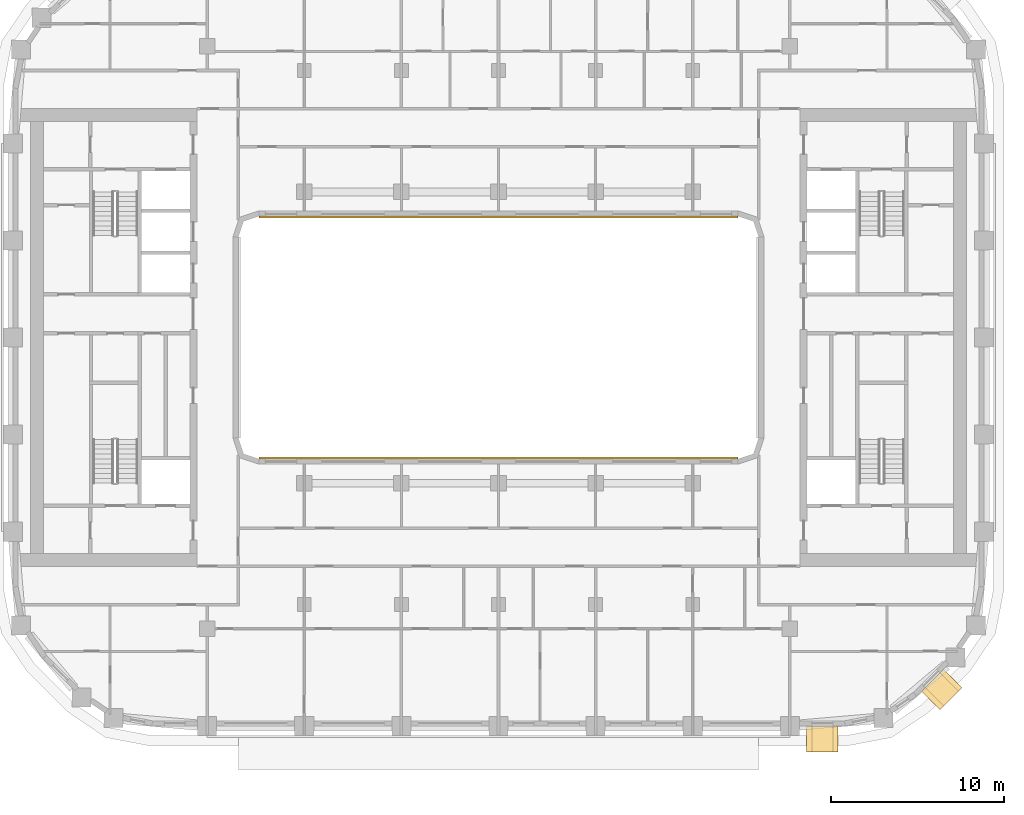
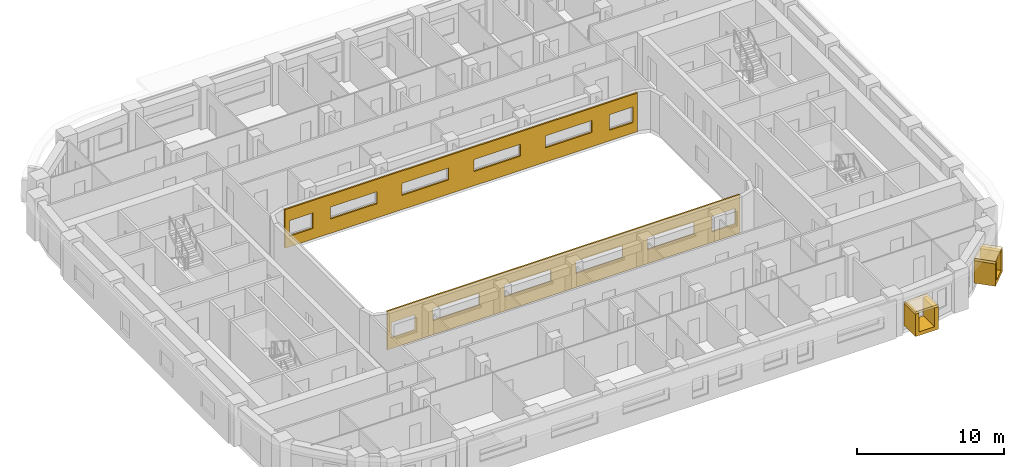
# One storey, part 16 of 22: 6 coverings.
"""IFC4 building model written with IfcOpenShell, lengths in metres."""

from ifc_helpers import new_model, si_unit, direction, frame, origin, origin_2d, place, context, subcontext, project, spatial, polyline, rectangle, outline, extrude, material, layer, layer_set, type_object, element, save


model = new_model("IFC4")

# Units and contexts
model_context = context("Model", 3, precision=1e-05, world=origin(), true_north=direction((0.0, 1.0)))
body_context = subcontext(model_context, "Body", "Model", "MODEL_VIEW")
ifc_project = project(units=[si_unit("LENGTHUNIT", "METRE"), si_unit("AREAUNIT", "SQUARE_METRE"), si_unit("VOLUMEUNIT", "CUBIC_METRE"), si_unit("PLANEANGLEUNIT", "RADIAN"), si_unit("MASSUNIT", "GRAM", prefix="KILO")], contexts=[model_context])

# Site, building, storey
site_placement = place(None, origin())
site = spatial("IfcSite", under=ifc_project, at=site_placement, CompositionType="ELEMENT")
building_placement = place(site_placement, origin())
building = spatial("IfcBuilding", under=site, at=building_placement, Name="Kiln Ring Residences", CompositionType="ELEMENT")
storey_placement = place(building_placement, frame((0.0, 0.0, 139.60009765625)))
storey = spatial("IfcBuildingStorey", under=building, at=storey_placement, Name="L35", CompositionType="ELEMENT", Elevation=139.60009765625)

# Coverings
ifc_material_1 = material(Name="Brick masonry, dark clay brick", Category="masonry")
ifc_layer_1 = layer(ifc_material_1, 0.300048828125)
ifc_layer_set_1 = layer_set([ifc_layer_1], Name="FRAME CHEEKS AND SILL 1500")
covering_type_1 = type_object("IfcCoveringType", Name="FRAME CHEEKS AND SILL 1500", PredefinedType="CLADDING", material=ifc_layer_set_1)
for number, where, z_axis, x_axis, name in (
    (1, (17.77490234375, -23.14990234375, 0.2998046875), (0.0, 0.0, 1.0), (1.0, 0.0, 0.0), "FRAME L35"),
    (2, (24.927978515625, -20.932861328125, 0.2998046875), (0.0, 0.0, 1.0), (0.707038962956, 0.707174592913, 0.0), "FRAME L35"),
):
    element("IfcCovering", number, at=place(storey_placement, frame(where, z_axis=z_axis, x_axis=x_axis)), inside=storey, type_object=covering_type_1, Name=name, PredefinedType="CLADDING", context=body_context, shape_type="SweptSolid", body=[
        extrude(outline(polyline([(0.0, 0.0), (1.800048828125, 0.0), (1.800048828125, 1.85009765625), (1.5009765625, 1.85009765625), (1.5, 0.300048828125), (0.300048828125, 0.300048828125), (0.299072265625, 1.85009765625), (0.0, 1.85009765625), (0.0, 0.0)])), frame((0.0, 0.75, 0.0), z_axis=(0.0, -1.0, 0.0), x_axis=(1.0, 0.0, 0.0)), (0.0, 0.0, 1.0), 1.5),
    ])
ifc_material_2 = material(Name="Brick masonry, dark clay brick", Category="masonry")
ifc_layer_2 = layer(ifc_material_2, 0.199951171875)
ifc_layer_set_2 = layer_set([ifc_layer_2], Name="FRAME HEAD 1500")
covering_type_2 = type_object("IfcCoveringType", Name="FRAME HEAD 1500", PredefinedType="CLADDING", material=ifc_layer_set_2)
for number, where, z_axis, x_axis, name in (
    (3, (18.675048828125, -23.14990234375, 2.14990234375), (0.0, 0.0, 1.0), (1.0, 0.0, 0.0), "FRAME HEAD L35"),
    (4, (25.564208984375, -20.29638671875, 2.14990234375), (0.0, 0.0, 1.0), (0.707106781187, 0.707106781187, 0.0), "FRAME HEAD L35"),
):
    element("IfcCovering", number, at=place(storey_placement, frame(where, z_axis=z_axis, x_axis=x_axis)), inside=storey, type_object=covering_type_2, Name=name, PredefinedType="CLADDING", context=body_context, shape_type="SweptSolid", body=[
        extrude(rectangle(XDim=1.800048828125, YDim=1.5, at=origin_2d()), origin(), (0.0, 0.0, 1.0), 0.199951171875),
    ])
ifc_material_3 = material(Name="Brick masonry, dark clay brick", Category="masonry")
ifc_layer_3 = layer(ifc_material_3, 0.1201171875)
ifc_layer_set_3 = layer_set([ifc_layer_3], Name="RAINSCREEN PANEL 120")
covering_type_3 = type_object("IfcCoveringType", Name="RAINSCREEN PANEL 120", PredefinedType="CLADDING", material=ifc_layer_set_3)
for number, where, z_axis, x_axis, name in (
    (5, (-13.800048828125, 6.93994140625, 0.0), (0.0, 0.0, 1.0), (1.0, 0.0, 0.0), "RAINSCREEN L35"),
    (6, (13.800048828125, -6.93994140625, 0.0), (0.0, 0.0, 1.0), (-1.0, 0.0, 0.0), "RAINSCREEN L35"),
):
    element("IfcCovering", number, at=place(storey_placement, frame(where, z_axis=z_axis, x_axis=x_axis)), inside=storey, type_object=covering_type_3, Name=name, PredefinedType="CLADDING", context=body_context, shape_type="SweptSolid", body=[
        extrude(outline(polyline([(0.0, 0.0), (27.60009765625, 0.0), (27.60009765625, 3.199951171875), (0.0, 3.199951171875), (0.0, 0.0)]), holes=[polyline([(2.1826171875, 0.8798828125), (2.1826171875, 2.169921875), (0.342529296875, 2.169921875), (0.342529296875, 0.8798828125), (2.1826171875, 0.8798828125)]), polyline([(25.41748046875, 0.8798828125), (27.257568359375, 0.8798828125), (27.257568359375, 2.169921875), (25.41748046875, 2.169921875), (25.41748046875, 0.8798828125)]), polyline([(3.580078125, 1.179931640625), (7.219970703125, 1.179931640625), (7.219970703125, 2.169921875), (3.580078125, 2.169921875), (3.580078125, 1.179931640625)]), polyline([(12.820068359375, 1.179931640625), (12.820068359375, 2.169921875), (9.179931640625, 2.169921875), (9.179931640625, 1.179931640625), (12.820068359375, 1.179931640625)]), polyline([(14.780029296875, 1.179931640625), (18.419921875, 1.179931640625), (18.419921875, 2.169921875), (14.780029296875, 2.169921875), (14.780029296875, 1.179931640625)]), polyline([(20.3798828125, 1.179931640625), (24.02001953125, 1.179931640625), (24.02001953125, 2.169921875), (20.3798828125, 2.169921875), (20.3798828125, 1.179931640625)])]), frame((0.0, 0.06005859375, 0.0), z_axis=(0.0, -1.0, 0.0), x_axis=(1.0, 0.0, 0.0)), (0.0, 0.0, 1.0), 0.1201171875),
    ])

save(model, "model.ifc")
